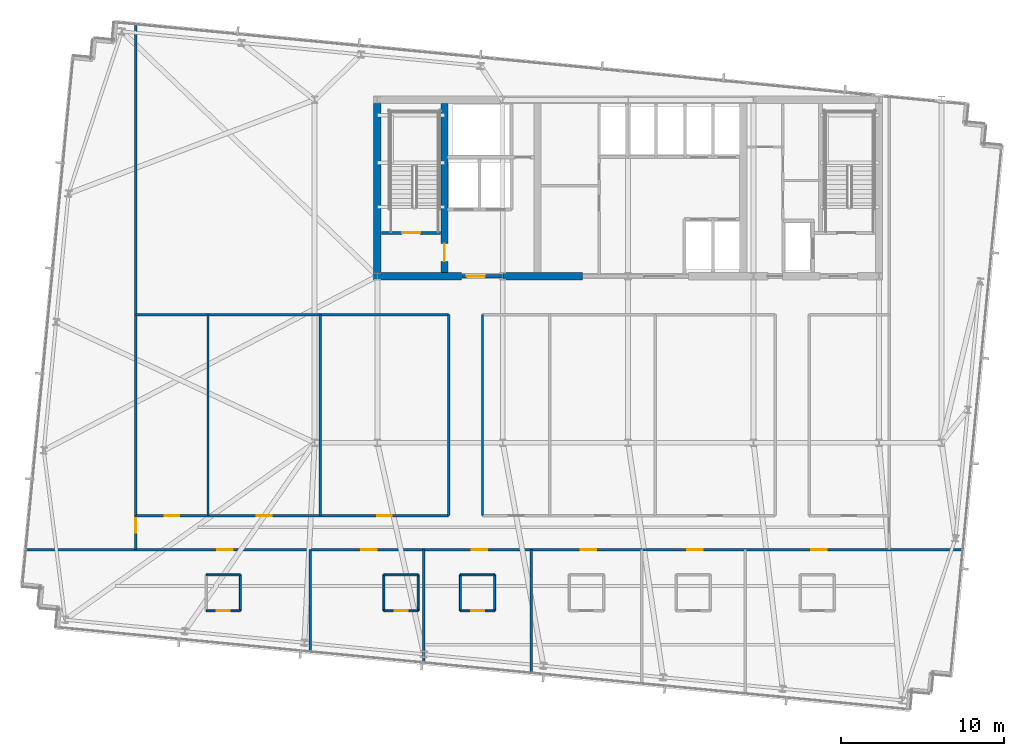
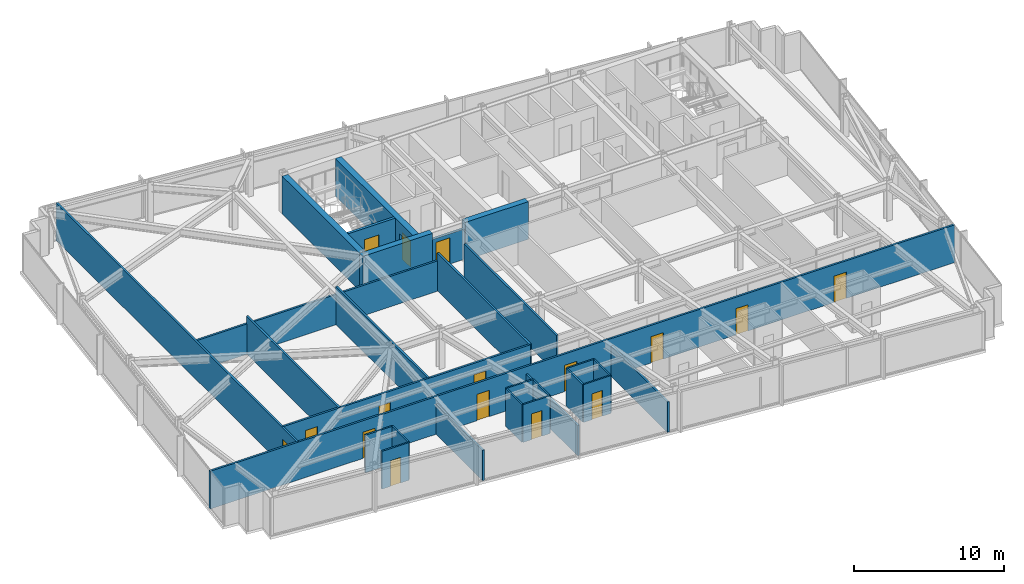
# One storey, part 29 of 36: 28 walls, 16 doors, 16 openings.
"""IFC4 building model written with IfcOpenShell, lengths in metres."""

from ifc_helpers import new_model, si_unit, direction, frame, frame_2d, origin, place, context, subcontext, project, spatial, rectangle, extrude, material, layer, layer_set, type_object, element, fill, save


model = new_model("IFC4")

# Units and contexts
model_context = context("Model", 3, precision=1e-05, world=origin(), true_north=direction((0.0, 1.0)))
body_context = subcontext(model_context, "Body", "Model", "MODEL_VIEW")
ifc_project = project(units=[si_unit("LENGTHUNIT", "METRE"), si_unit("AREAUNIT", "SQUARE_METRE"), si_unit("VOLUMEUNIT", "CUBIC_METRE"), si_unit("PLANEANGLEUNIT", "RADIAN"), si_unit("MASSUNIT", "GRAM", prefix="KILO")], contexts=[model_context])

# Site, building, storey
site_placement = place(None, origin())
site = spatial("IfcSite", under=ifc_project, at=site_placement, CompositionType="ELEMENT")
building_placement = place(site_placement, origin())
building = spatial("IfcBuilding", under=site, at=building_placement, Name="Yelkora Congress Tower", CompositionType="ELEMENT")
storey_placement = place(building_placement, frame((0.0, 0.0, 152.300048828125)))
storey = spatial("IfcBuildingStorey", under=building, at=storey_placement, Name="L41", CompositionType="ELEMENT", Elevation=152.300048828125)

# Walls
ifc_material_1 = material(Name="Concrete C60/75", Category="concrete")
ifc_layer_1 = layer(ifc_material_1, 0.449951171875)
ifc_layer_set_1 = layer_set([ifc_layer_1], Name="Concrete C60/75")
wall_type_1 = type_object("IfcWallType", Name="WALL-CORE-INT-450", PredefinedType="SHEAR", material=ifc_layer_set_1)
wall_1_placement = place(storey_placement, frame((22.81494140625, 35.39990234375, 0.0), z_axis=(0.0, 0.0, 1.0), x_axis=(1.0, 0.0, 0.0)))
element("IfcWall", 1, at=wall_1_placement, inside=storey, type_object=wall_type_1, Name="L41 Rear Core South-West Shear Wall", PredefinedType="SHEAR", context=body_context, shape_type="SweptSolid", body=[
    extrude(rectangle(XDim=5.385009765625, YDim=0.449951171875, at=frame_2d((2.6923828125, 0.0))), origin(), (0.0, 0.0, 1.0), 3.079833984375),
])
wall_2_placement = place(storey_placement, frame((30.719970703125, 35.39990234375, 0.0), z_axis=(0.0, 0.0, 1.0), x_axis=(1.0, 0.0, 0.0)))
element("IfcWall", 2, at=wall_2_placement, inside=storey, type_object=wall_type_1, Name="L41 Rear Core South-Center Shear Pier", PredefinedType="SHEAR", context=body_context, shape_type="SweptSolid", body=[
    extrude(rectangle(XDim=4.880126953125, YDim=0.449951171875, at=frame_2d((2.43994140625, 0.0))), origin(), (0.0, 0.0, 1.0), 3.079833984375),
])
wall_3_placement = place(storey_placement, frame((23.0400390625, 35.625, 0.0), z_axis=(0.0, 0.0, 1.0), x_axis=(0.0, 1.0, 0.0)))
element("IfcWall", 3, at=wall_3_placement, inside=storey, type_object=wall_type_1, Name="L41 Rear Core Cross Shear Wall W", PredefinedType="SHEAR", context=body_context, shape_type="SweptSolid", body=[
    extrude(rectangle(XDim=10.35009765625, YDim=0.449951171875, at=frame_2d((5.175048828125, 0.0))), origin(), (0.0, 0.0, 1.0), 3.079833984375),
])

# Wall, opening, door
wall_4_placement = place(storey_placement, frame((27.14990234375, 35.625, 0.0), z_axis=(0.0, 0.0, 1.0), x_axis=(0.0, 1.0, 0.0)))
wall_4 = element("IfcWall", 4, at=wall_4_placement, inside=storey, type_object=wall_type_1, Name="L41 Rear Core Cross Shear Wall C1", PredefinedType="SHEAR", context=body_context, shape_type="SweptSolid", body=[
    extrude(rectangle(XDim=10.35009765625, YDim=0.449951171875, at=frame_2d((5.175048828125, 0.0))), origin(), (0.0, 0.0, 1.0), 3.079833984375),
])
opening_1_placement = place(wall_4_placement, frame((0.675048828125, 0.0, 0.0)))
opening_1 = element("IfcOpeningElement", 5, at=opening_1_placement, cuts=wall_4, Name="Opening DR-110F9", PredefinedType="OPENING", context=body_context, shape_type="SweptSolid", body=[
    extrude(rectangle(XDim=1.10009765625, YDim=2.14990234375, at=frame_2d((0.550048828125, 1.074951171875))), frame((0.0, 0.23486328125, 0.0), z_axis=(0.0, -1.0, 0.0), x_axis=(1.0, 0.0, 0.0)), (0.0, 0.0, 1.0), 0.469970703125),
])
ifc_material_2 = material(Name="Galvanised steel fire door leaf", Category="steel")
door_type_1 = type_object("IfcDoorType", Name="DOOR-FD90-1100", OperationType="NOTDEFINED", PredefinedType="DOOR", material=ifc_material_2)
door_1_placement = place(opening_1_placement, origin())
door_1 = element("IfcDoor", 6, at=door_1_placement, inside=storey, type_object=door_type_1, Name="L41 Firefighting Stair Transfer Door", OperationType="SINGLE_SWING_LEFT", OverallHeight=2.14990234375, OverallWidth=1.10009765625, PredefinedType="DOOR", context=body_context, shape_type="SweptSolid", body=[
    extrude(rectangle(XDim=1.10009765625, YDim=2.14990234375, at=frame_2d((0.550048828125, 1.074951171875))), frame((0.0, 0.02490234375, 0.0), z_axis=(0.0, -1.0, 0.0), x_axis=(1.0, 0.0, 0.0)), (0.0, 0.0, 1.0), 0.050048828125),
])
fill(opening_1, door_1)

# Walls
ifc_material_3 = material(Name="Moisture-resistant gypsum partition", Category="gypsum")
ifc_layer_2 = layer(ifc_material_3, 0.1201171875)
ifc_layer_set_2 = layer_set([ifc_layer_2], Name="Moisture-resistant gypsum partition")
wall_type_2 = type_object("IfcWallType", Name="WALL-INT-120-NR", PredefinedType="PARTITIONING", material=ifc_layer_set_2)
wall_5_placement = place(storey_placement, frame((12.5458984375, 17.10009765625, 0.0), z_axis=(0.0, 0.0, 1.0), x_axis=(1.0, 0.0, 0.0)))
element("IfcWall", 7, at=wall_5_placement, inside=storey, type_object=wall_type_2, Name="L41 Partition Wall 27", PredefinedType="PARTITIONING", context=body_context, shape_type="SweptSolid", body=[
    extrude(rectangle(XDim=2.10009765625, YDim=0.1201171875, at=frame_2d((1.050048828125, 0.0))), origin(), (0.0, 0.0, 1.0), 3.079833984375),
])
wall_6_placement = place(storey_placement, frame((14.64599609375, 14.89990234375, 0.0), z_axis=(0.0, 0.0, 1.0), x_axis=(0.0, 1.0, 0.0)))
element("IfcWall", 8, at=wall_6_placement, inside=storey, type_object=wall_type_2, Name="L41 Partition Wall 29", PredefinedType="PARTITIONING", context=body_context, shape_type="SweptSolid", body=[
    extrude(rectangle(XDim=2.2001953125, YDim=0.1201171875, at=frame_2d((1.10009765625, 0.0))), origin(), (0.0, 0.0, 1.0), 3.079833984375),
])

# Wall, opening, door
wall_7_placement = place(storey_placement, frame((12.5458984375, 14.89990234375, 0.0), z_axis=(0.0, 0.0, 1.0), x_axis=(1.0, 0.0, 0.0)))
wall_7 = element("IfcWall", 9, at=wall_7_placement, inside=storey, type_object=wall_type_2, Name="L41 Partition Wall 30", PredefinedType="PARTITIONING", context=body_context, shape_type="SweptSolid", body=[
    extrude(rectangle(XDim=2.10009765625, YDim=0.1201171875, at=frame_2d((1.050048828125, 0.0))), origin(), (0.0, 0.0, 1.0), 3.079833984375),
])
opening_2_placement = place(wall_7_placement, frame((0.64990234375, 0.0, 0.0)))
opening_2 = element("IfcOpeningElement", 10, at=opening_2_placement, cuts=wall_7, Name="Opening DR-080B", PredefinedType="OPENING", context=body_context, shape_type="SweptSolid", body=[
    extrude(rectangle(XDim=0.800048828125, YDim=2.10009765625, at=frame_2d((0.39990234375, 1.050048828125))), frame((0.0, 0.070068359375, 0.0), z_axis=(0.0, -1.0, 0.0), x_axis=(1.0, 0.0, 0.0)), (0.0, 0.0, 1.0), 0.14013671875),
])
ifc_material_4 = material(Name="Moisture-sealed en-suite timber door", Category="wood")
door_type_2 = type_object("IfcDoorType", Name="DOOR-BATH-800", OperationType="NOTDEFINED", PredefinedType="DOOR", material=ifc_material_4)
door_2_placement = place(opening_2_placement, origin())
door_2 = element("IfcDoor", 11, at=door_2_placement, inside=storey, type_object=door_type_2, Name="L41 En-suite Door 1", OperationType="SINGLE_SWING_LEFT", OverallHeight=2.10009765625, OverallWidth=0.800048828125, PredefinedType="DOOR", context=body_context, shape_type="SweptSolid", body=[
    extrude(rectangle(XDim=0.800048828125, YDim=2.10009765625, at=frame_2d((0.39990234375, 1.050048828125))), frame((0.0, 0.02490234375, 0.0), z_axis=(0.0, -1.0, 0.0), x_axis=(1.0, 0.0, 0.0)), (0.0, 0.0, 1.0), 0.050048828125),
])
fill(opening_2, door_2)

# Walls
wall_8_placement = place(storey_placement, frame((23.43896484375, 17.10009765625, 0.0), z_axis=(0.0, 0.0, 1.0), x_axis=(1.0, 0.0, 0.0)))
element("IfcWall", 12, at=wall_8_placement, inside=storey, type_object=wall_type_2, Name="L41 Partition Wall 31", PredefinedType="PARTITIONING", context=body_context, shape_type="SweptSolid", body=[
    extrude(rectangle(XDim=2.10009765625, YDim=0.1201171875, at=frame_2d((1.050048828125, 0.0))), origin(), (0.0, 0.0, 1.0), 3.079833984375),
])
for number, where, z_axis, x_axis, name in (
    (13, (23.43896484375, 14.89990234375, 0.0), (0.0, 0.0, 1.0), (0.0, 1.0, 0.0), "L41 Partition Wall 32"),
    (14, (25.5390625, 14.89990234375, 0.0), (0.0, 0.0, 1.0), (0.0, 1.0, 0.0), "L41 Partition Wall 33"),
):
    element("IfcWall", number, at=place(storey_placement, frame(where, z_axis=z_axis, x_axis=x_axis)), inside=storey, type_object=wall_type_2, Name=name, PredefinedType="PARTITIONING", context=body_context, shape_type="SweptSolid", body=[
        extrude(rectangle(XDim=2.2001953125, YDim=0.1201171875, at=frame_2d((1.10009765625, 0.0))), origin(), (0.0, 0.0, 1.0), 3.079833984375),
    ])

# Wall, opening, door
wall_9_placement = place(storey_placement, frame((23.43896484375, 14.89990234375, 0.0), z_axis=(0.0, 0.0, 1.0), x_axis=(1.0, 0.0, 0.0)))
wall_9 = element("IfcWall", 15, at=wall_9_placement, inside=storey, type_object=wall_type_2, Name="L41 Partition Wall 34", PredefinedType="PARTITIONING", context=body_context, shape_type="SweptSolid", body=[
    extrude(rectangle(XDim=2.10009765625, YDim=0.1201171875, at=frame_2d((1.050048828125, 0.0))), origin(), (0.0, 0.0, 1.0), 3.079833984375),
])
opening_3_placement = place(wall_9_placement, frame((0.64990234375, 0.0, 0.0)))
opening_3 = element("IfcOpeningElement", 16, at=opening_3_placement, cuts=wall_9, Name="Opening DR-080B", PredefinedType="OPENING", context=body_context, shape_type="SweptSolid", body=[
    extrude(rectangle(XDim=0.800048828125, YDim=2.10009765625, at=frame_2d((0.39990234375, 1.050048828125))), frame((0.0, 0.070068359375, 0.0), z_axis=(0.0, -1.0, 0.0), x_axis=(1.0, 0.0, 0.0)), (0.0, 0.0, 1.0), 0.14013671875),
])
door_3_placement = place(opening_3_placement, origin())
door_3 = element("IfcDoor", 17, at=door_3_placement, inside=storey, type_object=door_type_2, Name="L41 En-suite Door 2", OperationType="SINGLE_SWING_RIGHT", OverallHeight=2.10009765625, OverallWidth=0.800048828125, PredefinedType="DOOR", context=body_context, shape_type="SweptSolid", body=[
    extrude(rectangle(XDim=0.800048828125, YDim=2.10009765625, at=frame_2d((0.39990234375, 1.050048828125))), frame((0.0, 0.02490234375, 0.0), z_axis=(0.0, -1.0, 0.0), x_axis=(1.0, 0.0, 0.0)), (0.0, 0.0, 1.0), 0.050048828125),
])
fill(opening_3, door_3)

# Walls
wall_10_placement = place(storey_placement, frame((28.125, 17.10009765625, 0.0), z_axis=(0.0, 0.0, 1.0), x_axis=(1.0, 0.0, 0.0)))
element("IfcWall", 18, at=wall_10_placement, inside=storey, type_object=wall_type_2, Name="L41 Partition Wall 36", PredefinedType="PARTITIONING", context=body_context, shape_type="SweptSolid", body=[
    extrude(rectangle(XDim=2.10009765625, YDim=0.1201171875, at=frame_2d((1.050048828125, 0.0))), origin(), (0.0, 0.0, 1.0), 3.079833984375),
])
for number, where, z_axis, x_axis, name in (
    (19, (28.125, 14.89990234375, 0.0), (0.0, 0.0, 1.0), (0.0, 1.0, 0.0), "L41 Partition Wall 37"),
    (20, (30.22509765625, 14.89990234375, 0.0), (0.0, 0.0, 1.0), (0.0, 1.0, 0.0), "L41 Partition Wall 38"),
):
    element("IfcWall", number, at=place(storey_placement, frame(where, z_axis=z_axis, x_axis=x_axis)), inside=storey, type_object=wall_type_2, Name=name, PredefinedType="PARTITIONING", context=body_context, shape_type="SweptSolid", body=[
        extrude(rectangle(XDim=2.2001953125, YDim=0.1201171875, at=frame_2d((1.10009765625, 0.0))), origin(), (0.0, 0.0, 1.0), 3.079833984375),
    ])

# Wall, opening, door
wall_11_placement = place(storey_placement, frame((28.125, 14.89990234375, 0.0), z_axis=(0.0, 0.0, 1.0), x_axis=(1.0, 0.0, 0.0)))
wall_11 = element("IfcWall", 21, at=wall_11_placement, inside=storey, type_object=wall_type_2, Name="L41 Partition Wall 39", PredefinedType="PARTITIONING", context=body_context, shape_type="SweptSolid", body=[
    extrude(rectangle(XDim=2.10009765625, YDim=0.1201171875, at=frame_2d((1.050048828125, 0.0))), origin(), (0.0, 0.0, 1.0), 3.079833984375),
])
opening_4_placement = place(wall_11_placement, frame((0.64990234375, 0.0, 0.0)))
opening_4 = element("IfcOpeningElement", 22, at=opening_4_placement, cuts=wall_11, Name="Opening DR-080B", PredefinedType="OPENING", context=body_context, shape_type="SweptSolid", body=[
    extrude(rectangle(XDim=0.800048828125, YDim=2.10009765625, at=frame_2d((0.39990234375, 1.050048828125))), frame((0.0, 0.070068359375, 0.0), z_axis=(0.0, -1.0, 0.0), x_axis=(1.0, 0.0, 0.0)), (0.0, 0.0, 1.0), 0.14013671875),
])
door_4_placement = place(opening_4_placement, origin())
door_4 = element("IfcDoor", 23, at=door_4_placement, inside=storey, type_object=door_type_2, Name="L41 En-suite Door 3", OperationType="SINGLE_SWING_LEFT", OverallHeight=2.10009765625, OverallWidth=0.800048828125, PredefinedType="DOOR", context=body_context, shape_type="SweptSolid", body=[
    extrude(rectangle(XDim=0.800048828125, YDim=2.10009765625, at=frame_2d((0.39990234375, 1.050048828125))), frame((0.0, 0.02490234375, 0.0), z_axis=(0.0, -1.0, 0.0), x_axis=(1.0, 0.0, 0.0)), (0.0, 0.0, 1.0), 0.050048828125),
])
fill(opening_4, door_4)

ifc_material_5 = material(Name="Acoustic metal-stud gypsum partition", Category="gypsum")
ifc_layer_3 = layer(ifc_material_5, 0.14990234375)
ifc_layer_set_3 = layer_set([ifc_layer_3], Name="Acoustic metal-stud gypsum partition")
wall_type_3 = type_object("IfcWallType", Name="WALL-INT-150-NR", PredefinedType="PARTITIONING", material=ifc_layer_set_3)
wall_12_placement = place(storey_placement, frame((8.2490234375, 18.64990234375, 0.0), z_axis=(0.0, 0.0, 1.0), x_axis=(0.0, 1.0, 0.0)))
wall_12 = element("IfcWall", 24, at=wall_12_placement, inside=storey, type_object=wall_type_3, Name="L41 Partition Wall 57", PredefinedType="PARTITIONING", context=body_context, shape_type="SweptSolid", body=[
    extrude(rectangle(XDim=32.230712890625, YDim=0.14990234375, at=frame_2d((16.115234375, 0.0))), origin(), (0.0, 0.0, 1.0), 3.079833984375),
])
opening_5_placement = place(wall_12_placement, frame((1.030029296875, 0.0, 0.0)))
opening_5 = element("IfcOpeningElement", 25, at=opening_5_placement, cuts=wall_12, Name="Opening DR-090N", PredefinedType="OPENING", context=body_context, shape_type="SweptSolid", body=[
    extrude(rectangle(XDim=0.89990234375, YDim=2.14990234375, at=frame_2d((0.449951171875, 1.074951171875))), frame((0.0, 0.0849609375, 0.0), z_axis=(0.0, -1.0, 0.0), x_axis=(1.0, 0.0, 0.0)), (0.0, 0.0, 1.0), 0.169921875),
])
ifc_material_6 = material(Name="Moisture-resistant laminate door leaf", Category="wood")
door_type_3 = type_object("IfcDoorType", Name="DOOR-INT-900", OperationType="NOTDEFINED", PredefinedType="DOOR", material=ifc_material_6)
door_5_placement = place(opening_5_placement, origin())
door_5 = element("IfcDoor", 26, at=door_5_placement, inside=storey, type_object=door_type_3, Name="L41 W Wing Door", OperationType="SINGLE_SWING_LEFT", OverallHeight=2.14990234375, OverallWidth=0.89990234375, PredefinedType="DOOR", context=body_context, shape_type="SweptSolid", body=[
    extrude(rectangle(XDim=0.89990234375, YDim=2.14990234375, at=frame_2d((0.449951171875, 1.074951171875))), frame((0.0, 0.02490234375, 0.0), z_axis=(0.0, -1.0, 0.0), x_axis=(1.0, 0.0, 0.0)), (0.0, 0.0, 1.0), 0.050048828125),
])
fill(opening_5, door_5)

# Walls
for number, where, z_axis, x_axis, name in (
    (27, (27.39990234375, 20.72998046875, 0.0), (0.0, 0.0, 1.0), (0.0, 1.0, 0.0), "L41 Partition Wall 59"),
    (28, (29.47998046875, 20.72998046875, 0.0), (0.0, 0.0, 1.0), (0.0, 1.0, 0.0), "L41 Partition Wall 60"),
):
    element("IfcWall", number, at=place(storey_placement, frame(where, z_axis=z_axis, x_axis=x_axis)), inside=storey, type_object=wall_type_3, Name=name, PredefinedType="PARTITIONING", context=body_context, shape_type="SweptSolid", body=[
        extrude(rectangle(XDim=12.320068359375, YDim=0.14990234375, at=frame_2d((6.16015625, 0.0))), origin(), (0.0, 0.0, 1.0), 3.079833984375),
    ])
wall_13_placement = place(storey_placement, frame((8.2490234375, 33.050048828125, 0.0), z_axis=(0.0, 0.0, 1.0), x_axis=(1.0, 0.0, 0.0)))
element("IfcWall", 29, at=wall_13_placement, inside=storey, type_object=wall_type_3, Name="L41 Partition Wall 63", PredefinedType="PARTITIONING", context=body_context, shape_type="SweptSolid", body=[
    extrude(rectangle(XDim=19.15087890625, YDim=0.14990234375, at=frame_2d((9.575439453125, 0.0))), origin(), (0.0, 0.0, 1.0), 2.474853515625),
])
for number, where, z_axis, x_axis, name in (
    (30, (12.6669921875, 20.72998046875, 0.0), (0.0, 0.0, 1.0), (0.0, 1.0, 0.0), "L41 Partition Wall 66"),
    (31, (19.550048828125, 20.72998046875, 0.0), (0.0, 0.0, 1.0), (0.0, 1.0, 0.0), "L41 Partition Wall 67"),
):
    element("IfcWall", number, at=place(storey_placement, frame(where, z_axis=z_axis, x_axis=x_axis)), inside=storey, type_object=wall_type_3, Name=name, PredefinedType="PARTITIONING", context=body_context, shape_type="SweptSolid", body=[
        extrude(rectangle(XDim=12.320068359375, YDim=0.14990234375, at=frame_2d((6.16015625, 0.0))), origin(), (0.0, 0.0, 1.0), 3.079833984375),
    ])

# Wall, openings, doors
wall_14_placement = place(storey_placement, frame((8.26904296875, 20.72998046875, 0.0), z_axis=(0.0, 0.0, 1.0), x_axis=(1.0, 0.0, 0.0)))
wall_14 = element("IfcWall", 32, at=wall_14_placement, inside=storey, type_object=wall_type_3, Name="L41 Partition Wall 68", PredefinedType="PARTITIONING", context=body_context, shape_type="SweptSolid", body=[
    extrude(rectangle(XDim=19.120849609375, YDim=0.14990234375, at=frame_2d((9.560546875, 0.0))), origin(), (0.0, 0.0, 1.0), 3.079833984375),
])
opening_6_placement = place(wall_14_placement, frame((1.7490234375, 0.0, 0.0)))
opening_6 = element("IfcOpeningElement", 33, at=opening_6_placement, cuts=wall_14, Name="Opening DR-090N", PredefinedType="OPENING", context=body_context, shape_type="SweptSolid", body=[
    extrude(rectangle(XDim=0.89990234375, YDim=2.14990234375, at=frame_2d((0.449951171875, 1.074951171875))), frame((0.0, 0.0849609375, 0.0), z_axis=(0.0, -1.0, 0.0), x_axis=(1.0, 0.0, 0.0)), (0.0, 0.0, 1.0), 0.169921875),
])
opening_7_placement = place(wall_14_placement, frame((7.389404296875, 0.0, 0.0)))
opening_7 = element("IfcOpeningElement", 34, at=opening_7_placement, cuts=wall_14, Name="Opening DR-090N", PredefinedType="OPENING", context=body_context, shape_type="SweptSolid", body=[
    extrude(rectangle(XDim=0.89990234375, YDim=2.14990234375, at=frame_2d((0.449951171875, 1.074951171875))), frame((0.0, 0.0849609375, 0.0), z_axis=(0.0, -1.0, 0.0), x_axis=(1.0, 0.0, 0.0)), (0.0, 0.0, 1.0), 0.169921875),
])
opening_8_placement = place(wall_14_placement, frame((14.7509765625, 0.0, 0.0)))
opening_8 = element("IfcOpeningElement", 35, at=opening_8_placement, cuts=wall_14, Name="Opening DR-090N", PredefinedType="OPENING", context=body_context, shape_type="SweptSolid", body=[
    extrude(rectangle(XDim=0.89990234375, YDim=2.14990234375, at=frame_2d((0.449951171875, 1.074951171875))), frame((0.0, 0.0849609375, 0.0), z_axis=(0.0, -1.0, 0.0), x_axis=(1.0, 0.0, 0.0)), (0.0, 0.0, 1.0), 0.169921875),
])
door_6_placement = place(opening_6_placement, origin())
door_6 = element("IfcDoor", 36, at=door_6_placement, inside=storey, type_object=door_type_3, Name="L41 Housekeeping & Linen Room Door", OperationType="SINGLE_SWING_LEFT", OverallHeight=2.14990234375, OverallWidth=0.89990234375, PredefinedType="DOOR", context=body_context, shape_type="SweptSolid", body=[
    extrude(rectangle(XDim=0.89990234375, YDim=2.14990234375, at=frame_2d((0.449951171875, 1.074951171875))), frame((0.0, 0.02490234375, 0.0), z_axis=(0.0, -1.0, 0.0), x_axis=(1.0, 0.0, 0.0)), (0.0, 0.0, 1.0), 0.050048828125),
])
fill(opening_6, door_6)
door_7_placement = place(opening_7_placement, origin())
door_7 = element("IfcDoor", 37, at=door_7_placement, inside=storey, type_object=door_type_3, Name="L41 Business Concierge Office Door", OperationType="SINGLE_SWING_RIGHT", OverallHeight=2.14990234375, OverallWidth=0.89990234375, PredefinedType="DOOR", context=body_context, shape_type="SweptSolid", body=[
    extrude(rectangle(XDim=0.89990234375, YDim=2.14990234375, at=frame_2d((0.449951171875, 1.074951171875))), frame((0.0, 0.02490234375, 0.0), z_axis=(0.0, -1.0, 0.0), x_axis=(1.0, 0.0, 0.0)), (0.0, 0.0, 1.0), 0.050048828125),
])
fill(opening_7, door_7)
door_8_placement = place(opening_8_placement, origin())
door_8 = element("IfcDoor", 38, at=door_8_placement, inside=storey, type_object=door_type_3, Name="L41 Refreshment Galley Door", OperationType="SINGLE_SWING_LEFT", OverallHeight=2.14990234375, OverallWidth=0.89990234375, PredefinedType="DOOR", context=body_context, shape_type="SweptSolid", body=[
    extrude(rectangle(XDim=0.89990234375, YDim=2.14990234375, at=frame_2d((0.449951171875, 1.074951171875))), frame((0.0, 0.02490234375, 0.0), z_axis=(0.0, -1.0, 0.0), x_axis=(1.0, 0.0, 0.0)), (0.0, 0.0, 1.0), 0.050048828125),
])
fill(opening_8, door_8)

# Walls
ifc_material_7 = material(Name="Twin-stud fire-rated gypsum partition", Category="gypsum")
ifc_layer_4 = layer(ifc_material_7, 0.14990234375)
ifc_layer_set_4 = layer_set([ifc_layer_4], Name="Twin-stud fire-rated gypsum partition")
wall_type_4 = type_object("IfcWallType", Name="WALL-INT-150-R60", PredefinedType="PARTITIONING", material=ifc_layer_set_4)
wall_15_placement = place(storey_placement, frame((18.94189453125, 12.338134765625, 0.0), z_axis=(0.0, 0.0, 1.0), x_axis=(0.0, 1.0, 0.0)))
element("IfcWall", 39, at=wall_15_placement, inside=storey, type_object=wall_type_4, Name="L41 Partition Wall 35", PredefinedType="PARTITIONING", context=body_context, shape_type="SweptSolid", body=[
    extrude(rectangle(XDim=6.331787109375, YDim=0.14990234375, at=frame_2d((3.166015625, 0.0))), origin(), (0.0, 0.0, 1.0), 2.474853515625),
])
wall_16_placement = place(storey_placement, frame((25.888916015625, 11.669189453125, 0.0), z_axis=(0.0, 0.0, 1.0), x_axis=(0.0, 1.0, 0.0)))
element("IfcWall", 40, at=wall_16_placement, inside=storey, type_object=wall_type_4, Name="L41 Partition Wall 40", PredefinedType="PARTITIONING", context=body_context, shape_type="SweptSolid", body=[
    extrude(rectangle(XDim=7.000732421875, YDim=0.14990234375, at=frame_2d((3.50048828125, 0.0))), origin(), (0.0, 0.0, 1.0), 2.474853515625),
])
wall_17_placement = place(storey_placement, frame((32.4619140625, 11.036376953125, 0.0), z_axis=(0.0, 0.0, 1.0), x_axis=(0.0, 1.0, 0.0)))
element("IfcWall", 41, at=wall_17_placement, inside=storey, type_object=wall_type_4, Name="L41 Partition Wall 45", PredefinedType="PARTITIONING", context=body_context, shape_type="SweptSolid", body=[
    extrude(rectangle(XDim=7.633544921875, YDim=0.14990234375, at=frame_2d((3.81689453125, 0.0))), origin(), (0.0, 0.0, 1.0), 2.474853515625),
])

# Wall, openings, doors
wall_18_placement = place(storey_placement, frame((1.44921875, 18.64990234375, 0.0), z_axis=(0.0, 0.0, 1.0), x_axis=(1.0, 0.0, 0.0)))
wall_18 = element("IfcWall", 42, at=wall_18_placement, inside=storey, type_object=wall_type_4, Name="L41 South Spine Wall", PredefinedType="PARTITIONING", context=body_context, shape_type="SweptSolid", body=[
    extrude(rectangle(XDim=57.5048828125, YDim=0.14990234375, at=frame_2d((28.75244140625, 0.0))), origin(), (0.0, 0.0, 1.0), 3.079833984375),
])
opening_9_placement = place(wall_18_placement, frame((11.7861328125, 0.0, 0.0)))
opening_9 = element("IfcOpeningElement", 43, at=opening_9_placement, cuts=wall_18, Name="Opening DR-095F6", PredefinedType="OPENING", context=body_context, shape_type="SweptSolid", body=[
    extrude(rectangle(XDim=0.949951171875, YDim=2.14990234375, at=frame_2d((0.47509765625, 1.074951171875))), frame((0.0, 0.0849609375, 0.0), z_axis=(0.0, -1.0, 0.0), x_axis=(1.0, 0.0, 0.0)), (0.0, 0.0, 1.0), 0.169921875),
])
opening_10_placement = place(wall_18_placement, frame((20.606201171875, 0.0, 0.0)))
opening_10 = element("IfcOpeningElement", 44, at=opening_10_placement, cuts=wall_18, Name="Opening DR-095F6", PredefinedType="OPENING", context=body_context, shape_type="SweptSolid", body=[
    extrude(rectangle(XDim=0.949951171875, YDim=2.14990234375, at=frame_2d((0.47509765625, 1.074951171875))), frame((0.0, 0.0849609375, 0.0), z_axis=(0.0, -1.0, 0.0), x_axis=(1.0, 0.0, 0.0)), (0.0, 0.0, 1.0), 0.169921875),
])
opening_11_placement = place(wall_18_placement, frame((27.3662109375, 0.0, 0.0)))
opening_11 = element("IfcOpeningElement", 45, at=opening_11_placement, cuts=wall_18, Name="Opening DR-095F6", PredefinedType="OPENING", context=body_context, shape_type="SweptSolid", body=[
    extrude(rectangle(XDim=0.949951171875, YDim=2.14990234375, at=frame_2d((0.47509765625, 1.074951171875))), frame((0.0, 0.0849609375, 0.0), z_axis=(0.0, -1.0, 0.0), x_axis=(1.0, 0.0, 0.0)), (0.0, 0.0, 1.0), 0.169921875),
])
opening_12_placement = place(wall_18_placement, frame((34.03271484375, 0.0, 0.0)))
opening_12 = element("IfcOpeningElement", 46, at=opening_12_placement, cuts=wall_18, Name="Opening DR-095F6", PredefinedType="OPENING", context=body_context, shape_type="SweptSolid", body=[
    extrude(rectangle(XDim=0.949951171875, YDim=2.14990234375, at=frame_2d((0.47509765625, 1.074951171875))), frame((0.0, 0.0849609375, 0.0), z_axis=(0.0, -1.0, 0.0), x_axis=(1.0, 0.0, 0.0)), (0.0, 0.0, 1.0), 0.169921875),
])
opening_13_placement = place(wall_18_placement, frame((40.581787109375, 0.0, 0.0)))
opening_13 = element("IfcOpeningElement", 47, at=opening_13_placement, cuts=wall_18, Name="Opening DR-095F6", PredefinedType="OPENING", context=body_context, shape_type="SweptSolid", body=[
    extrude(rectangle(XDim=0.949951171875, YDim=2.14990234375, at=frame_2d((0.47509765625, 1.074951171875))), frame((0.0, 0.0849609375, 0.0), z_axis=(0.0, -1.0, 0.0), x_axis=(1.0, 0.0, 0.0)), (0.0, 0.0, 1.0), 0.169921875),
])
opening_14_placement = place(wall_18_placement, frame((48.170654296875, 0.0, 0.0)))
opening_14 = element("IfcOpeningElement", 48, at=opening_14_placement, cuts=wall_18, Name="Opening DR-095F6", PredefinedType="OPENING", context=body_context, shape_type="SweptSolid", body=[
    extrude(rectangle(XDim=0.949951171875, YDim=2.14990234375, at=frame_2d((0.47509765625, 1.074951171875))), frame((0.0, 0.0849609375, 0.0), z_axis=(0.0, -1.0, 0.0), x_axis=(1.0, 0.0, 0.0)), (0.0, 0.0, 1.0), 0.169921875),
])
ifc_material_8 = material(Name="Acoustic oak-veneer fire door leaf", Category="wood")
door_type_4 = type_object("IfcDoorType", Name="DOOR-FD60-950", OperationType="NOTDEFINED", PredefinedType="DOOR", material=ifc_material_8)
door_9_placement = place(opening_9_placement, origin())
door_9 = element("IfcDoor", 49, at=door_9_placement, inside=storey, type_object=door_type_4, Name="L41 Diplomatic Suite 01 Entry Door", OperationType="SINGLE_SWING_LEFT", OverallHeight=2.14990234375, OverallWidth=0.949951171875, PredefinedType="DOOR", context=body_context, shape_type="SweptSolid", body=[
    extrude(rectangle(XDim=0.949951171875, YDim=2.14990234375, at=frame_2d((0.47509765625, 1.074951171875))), frame((0.0, 0.02490234375, 0.0), z_axis=(0.0, -1.0, 0.0), x_axis=(1.0, 0.0, 0.0)), (0.0, 0.0, 1.0), 0.050048828125),
])
fill(opening_9, door_9)
door_10_placement = place(opening_10_placement, origin())
door_10 = element("IfcDoor", 50, at=door_10_placement, inside=storey, type_object=door_type_4, Name="L41 Hotel Guest Room 02 Entry Door", OperationType="SINGLE_SWING_RIGHT", OverallHeight=2.14990234375, OverallWidth=0.949951171875, PredefinedType="DOOR", context=body_context, shape_type="SweptSolid", body=[
    extrude(rectangle(XDim=0.949951171875, YDim=2.14990234375, at=frame_2d((0.47509765625, 1.074951171875))), frame((0.0, 0.02490234375, 0.0), z_axis=(0.0, -1.0, 0.0), x_axis=(1.0, 0.0, 0.0)), (0.0, 0.0, 1.0), 0.050048828125),
])
fill(opening_10, door_10)
door_11_placement = place(opening_11_placement, origin())
door_11 = element("IfcDoor", 51, at=door_11_placement, inside=storey, type_object=door_type_4, Name="L41 Hotel Guest Room 03 Entry Door", OperationType="SINGLE_SWING_LEFT", OverallHeight=2.14990234375, OverallWidth=0.949951171875, PredefinedType="DOOR", context=body_context, shape_type="SweptSolid", body=[
    extrude(rectangle(XDim=0.949951171875, YDim=2.14990234375, at=frame_2d((0.47509765625, 1.074951171875))), frame((0.0, 0.02490234375, 0.0), z_axis=(0.0, -1.0, 0.0), x_axis=(1.0, 0.0, 0.0)), (0.0, 0.0, 1.0), 0.050048828125),
])
fill(opening_11, door_11)
door_12_placement = place(opening_12_placement, origin())
door_12 = element("IfcDoor", 52, at=door_12_placement, inside=storey, type_object=door_type_4, Name="L41 Hotel Guest Room 04 Entry Door", OperationType="SINGLE_SWING_RIGHT", OverallHeight=2.14990234375, OverallWidth=0.949951171875, PredefinedType="DOOR", context=body_context, shape_type="SweptSolid", body=[
    extrude(rectangle(XDim=0.949951171875, YDim=2.14990234375, at=frame_2d((0.47509765625, 1.074951171875))), frame((0.0, 0.02490234375, 0.0), z_axis=(0.0, -1.0, 0.0), x_axis=(1.0, 0.0, 0.0)), (0.0, 0.0, 1.0), 0.050048828125),
])
fill(opening_12, door_12)
door_13_placement = place(opening_13_placement, origin())
door_13 = element("IfcDoor", 53, at=door_13_placement, inside=storey, type_object=door_type_4, Name="L41 Hotel Guest Room 05 Entry Door", OperationType="SINGLE_SWING_LEFT", OverallHeight=2.14990234375, OverallWidth=0.949951171875, PredefinedType="DOOR", context=body_context, shape_type="SweptSolid", body=[
    extrude(rectangle(XDim=0.949951171875, YDim=2.14990234375, at=frame_2d((0.47509765625, 1.074951171875))), frame((0.0, 0.02490234375, 0.0), z_axis=(0.0, -1.0, 0.0), x_axis=(1.0, 0.0, 0.0)), (0.0, 0.0, 1.0), 0.050048828125),
])
fill(opening_13, door_13)
door_14_placement = place(opening_14_placement, origin())
door_14 = element("IfcDoor", 54, at=door_14_placement, inside=storey, type_object=door_type_4, Name="L41 Diplomatic Suite 06 Entry Door", OperationType="SINGLE_SWING_RIGHT", OverallHeight=2.14990234375, OverallWidth=0.949951171875, PredefinedType="DOOR", context=body_context, shape_type="SweptSolid", body=[
    extrude(rectangle(XDim=0.949951171875, YDim=2.14990234375, at=frame_2d((0.47509765625, 1.074951171875))), frame((0.0, 0.02490234375, 0.0), z_axis=(0.0, -1.0, 0.0), x_axis=(1.0, 0.0, 0.0)), (0.0, 0.0, 1.0), 0.050048828125),
])
fill(opening_14, door_14)

# Wall, opening, door
ifc_material_9 = material(Name="Autoclaved aerated concrete blockwork", Category="masonry")
ifc_layer_5 = layer(ifc_material_9, 0.199951171875)
ifc_layer_set_5 = layer_set([ifc_layer_5], Name="Autoclaved aerated concrete blockwork")
wall_type_5 = type_object("IfcWallType", Name="WALL-INT-200-R120", PredefinedType="PARTITIONING", material=ifc_layer_set_5)
wall_19_placement = place(storey_placement, frame((23.300048828125, 38.050048828125, 0.0), z_axis=(0.0, 0.0, 1.0), x_axis=(1.0, 0.0, 0.0)))
wall_19 = element("IfcWall", 55, at=wall_19_placement, inside=storey, type_object=wall_type_5, Name="L41 Stair ST-01 Enclosure Wall", PredefinedType="PARTITIONING", context=body_context, shape_type="SweptSolid", body=[
    extrude(rectangle(XDim=3.619873046875, YDim=0.199951171875, at=frame_2d((1.81005859375, 0.0))), origin(), (0.0, 0.0, 1.0), 3.079833984375),
])
opening_15_placement = place(wall_19_placement, frame((1.260009765625, 0.0, 0.0)))
opening_15 = element("IfcOpeningElement", 56, at=opening_15_placement, cuts=wall_19, Name="Opening DR-110F9", PredefinedType="OPENING", context=body_context, shape_type="SweptSolid", body=[
    extrude(rectangle(XDim=1.10009765625, YDim=2.14990234375, at=frame_2d((0.550048828125, 1.074951171875))), frame((0.0, 0.10986328125, 0.0), z_axis=(0.0, -1.0, 0.0), x_axis=(1.0, 0.0, 0.0)), (0.0, 0.0, 1.0), 0.219970703125),
])
door_15_placement = place(opening_15_placement, origin())
door_15 = element("IfcDoor", 57, at=door_15_placement, inside=storey, type_object=door_type_1, Name="L41 Stair ST-01 Entry Door", OperationType="SINGLE_SWING_LEFT", OverallHeight=2.14990234375, OverallWidth=1.10009765625, PredefinedType="DOOR", context=body_context, shape_type="SweptSolid", body=[
    extrude(rectangle(XDim=1.10009765625, YDim=2.14990234375, at=frame_2d((0.550048828125, 1.074951171875))), frame((0.0, 0.02490234375, 0.0), z_axis=(0.0, -1.0, 0.0), x_axis=(1.0, 0.0, 0.0)), (0.0, 0.0, 1.0), 0.050048828125),
])
fill(opening_15, door_15)

wall_20_placement = place(storey_placement, frame((28.219970703125, 35.39990234375, 0.0), z_axis=(0.0, 0.0, 1.0), x_axis=(1.0, 0.0, 0.0)))
wall_20 = element("IfcWall", 58, at=wall_20_placement, inside=storey, type_object=wall_type_5, Name="L41 Firefighting Lobby South Wall", PredefinedType="PARTITIONING", context=body_context, shape_type="SweptSolid", body=[
    extrude(rectangle(XDim=2.5, YDim=0.199951171875, at=frame_2d((1.25, 0.0))), origin(), (0.0, 0.0, 1.0), 2.474853515625),
])
opening_16_placement = place(wall_20_placement, frame((0.300048828125, 0.0, 0.0)))
opening_16 = element("IfcOpeningElement", 59, at=opening_16_placement, cuts=wall_20, Name="Opening DR-110F9", PredefinedType="OPENING", context=body_context, shape_type="SweptSolid", body=[
    extrude(rectangle(XDim=1.10009765625, YDim=2.14990234375, at=frame_2d((0.550048828125, 1.074951171875))), frame((0.0, 0.10986328125, 0.0), z_axis=(0.0, -1.0, 0.0), x_axis=(1.0, 0.0, 0.0)), (0.0, 0.0, 1.0), 0.219970703125),
])
door_16_placement = place(opening_16_placement, origin())
door_16 = element("IfcDoor", 60, at=door_16_placement, inside=storey, type_object=door_type_1, Name="L41 Firefighting Lobby Corridor Door", OperationType="SINGLE_SWING_RIGHT", OverallHeight=2.14990234375, OverallWidth=1.10009765625, PredefinedType="DOOR", context=body_context, shape_type="SweptSolid", body=[
    extrude(rectangle(XDim=1.10009765625, YDim=2.14990234375, at=frame_2d((0.550048828125, 1.074951171875))), frame((0.0, 0.02490234375, 0.0), z_axis=(0.0, -1.0, 0.0), x_axis=(1.0, 0.0, 0.0)), (0.0, 0.0, 1.0), 0.050048828125),
])
fill(opening_16, door_16)

save(model, "model.ifc")
